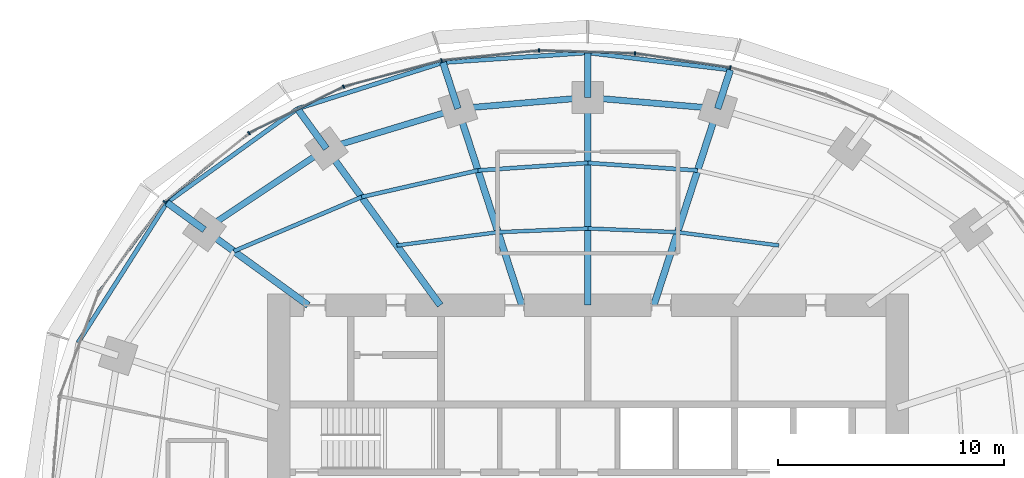
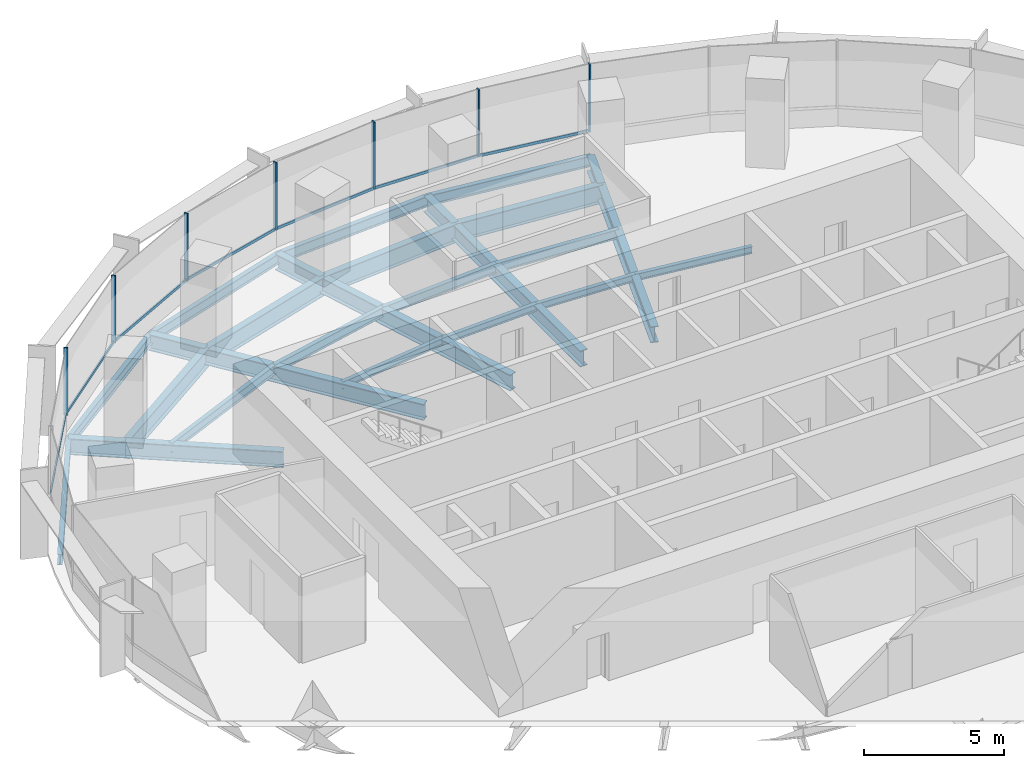
# One storey, part 7 of 14: 27 beams, 14 members, 2 elements without a shape of their own.
"""IFC4 building model written with IfcOpenShell, lengths in metres."""

from ifc_helpers import new_model, si_unit, direction, frame, origin, origin_2d, place, context, subcontext, project, spatial, rectangle, i_section, extrude, material, material_profile, profile_set, type_object, element, aggregate, save


model = new_model("IFC4")

# Units and contexts
model_context = context("Model", 3, precision=1e-05, world=origin(), true_north=direction((0.0, 1.0)))
body_context = subcontext(model_context, "Body", "Model", "MODEL_VIEW")
ifc_project = project(units=[si_unit("LENGTHUNIT", "METRE"), si_unit("AREAUNIT", "SQUARE_METRE"), si_unit("VOLUMEUNIT", "CUBIC_METRE"), si_unit("PLANEANGLEUNIT", "RADIAN"), si_unit("MASSUNIT", "GRAM", prefix="KILO")], contexts=[model_context])

# Site, building, storey
site_placement = place(None, origin())
site = spatial("IfcSite", under=ifc_project, at=site_placement, CompositionType="ELEMENT")
building_placement = place(site_placement, origin())
building = spatial("IfcBuilding", under=site, at=building_placement, Name="Marramba Exchange Tower", CompositionType="ELEMENT")
storey_placement = place(building_placement, frame((0.0, 0.0, 222.800048828125)))
storey = spatial("IfcBuildingStorey", under=building, at=storey_placement, Name="L54", CompositionType="ELEMENT", Elevation=222.800048828125)

# Beams
ifc_material_1 = material(Name="Steel AS/NZS 3679.2 grade 300", Category="steel")
ifc_material_profile_1 = material_profile(ifc_material_1, i_section(OverallWidth=0.300048828125, OverallDepth=0.699951171875, WebThickness=0.010009765625, FlangeThickness=0.031982421875, at=origin_2d()), Name="700WB173")
ifc_profile_set_1 = profile_set([ifc_material_profile_1], Name="Steel AS/NZS 3679.2 grade 300")
beam_type_1 = type_object("IfcBeamType", Name="Cantilever girder 700WB173", PredefinedType="BEAM", material=ifc_profile_set_1)
beam_1_placement = place(storey_placement, frame((5.75390625, 17.70849609375, -0.510009765625), z_axis=(0.308960771946, 0.951074782232, 0.0), x_axis=(-0.951074782232, 0.308960771946, 0.0)))
element("IfcBeam", 1, at=beam_1_placement, inside=storey, type_object=beam_type_1, Name="Cantilever girder L54 TC05", PredefinedType="BEAM", context=body_context, shape_type="SweptSolid", body=[
    extrude(i_section(OverallWidth=0.300048828125, OverallDepth=0.699951171875, WebThickness=0.010009765625, FlangeThickness=0.031982421875, at=origin_2d()), origin(), (0.0, 0.0, 1.0), 1.806396484375),
])
beam_2_placement = place(storey_placement, frame((0.0, 18.2041015625, -0.510009765625), z_axis=(0.0, 1.0, 0.0), x_axis=(-1.0, 0.0, 0.0)))
element("IfcBeam", 2, at=beam_2_placement, inside=storey, type_object=beam_type_1, Name="Cantilever girder L54 TC06", PredefinedType="BEAM", context=body_context, shape_type="SweptSolid", body=[
    extrude(i_section(OverallWidth=0.300048828125, OverallDepth=0.699951171875, WebThickness=0.010009765625, FlangeThickness=0.031982421875, at=origin_2d()), origin(), (0.0, 0.0, 1.0), 1.982177734375),
])
beam_3_placement = place(storey_placement, frame((-5.75390625, 17.70849609375, -0.510009765625), z_axis=(-0.308998798068, 0.951062428441, 0.0), x_axis=(-0.951062428441, -0.308998798068, 0.0)))
element("IfcBeam", 3, at=beam_3_placement, inside=storey, type_object=beam_type_1, Name="Cantilever girder L54 TC07", PredefinedType="BEAM", context=body_context, shape_type="SweptSolid", body=[
    extrude(i_section(OverallWidth=0.300048828125, OverallDepth=0.699951171875, WebThickness=0.010009765625, FlangeThickness=0.031982421875, at=origin_2d()), origin(), (0.0, 0.0, 1.0), 2.150634765625),
])
beam_4_placement = place(storey_placement, frame((-11.581298828125, 15.9404296875, -0.510009765625), z_axis=(-0.587832433352, 0.808982713226, 0.0), x_axis=(-0.808982713226, -0.587832433352, 0.0)))
element("IfcBeam", 4, at=beam_4_placement, inside=storey, type_object=beam_type_1, Name="Cantilever girder L54 TC08", PredefinedType="BEAM", context=body_context, shape_type="SweptSolid", body=[
    extrude(i_section(OverallWidth=0.300048828125, OverallDepth=0.699951171875, WebThickness=0.010009765625, FlangeThickness=0.031982421875, at=origin_2d()), origin(), (0.0, 0.0, 1.0), 2.1826171875),
])
beam_5_placement = place(storey_placement, frame((-16.98583984375, 12.3408203125, -0.510009765625), z_axis=(-0.808962446125, 0.587860324192, 0.0), x_axis=(-0.587860324192, -0.808962446125, 0.0)))
element("IfcBeam", 5, at=beam_5_placement, inside=storey, type_object=beam_type_1, Name="Cantilever girder L54 TC09", PredefinedType="BEAM", context=body_context, shape_type="SweptSolid", body=[
    extrude(i_section(OverallWidth=0.300048828125, OverallDepth=0.699951171875, WebThickness=0.010009765625, FlangeThickness=0.031982421875, at=origin_2d()), origin(), (0.0, 0.0, 1.0), 2.051513671875),
])
ifc_material_2 = material(Name="Steel AS/NZS 3679.1 grade 300", Category="steel")
ifc_material_profile_2 = material_profile(ifc_material_2, i_section(OverallWidth=0.166015625, OverallDepth=0.306884765625, WebThickness=0.006591796875, FlangeThickness=0.01171875, FilletRadius=0.011474609375, at=origin_2d()), Name="310UB46.2")
ifc_profile_set_2 = profile_set([ifc_material_profile_2], Name="Steel AS/NZS 3679.1 grade 300")
beam_type_2 = type_object("IfcBeamType", Name="Floor joist 310UB46.2", PredefinedType="JOIST", material=ifc_profile_set_2)
beam_6_placement = place(storey_placement, frame((8.4619140625, 11.646728515625, -0.3134765625), z_axis=(-0.991480538255, 0.130254912618, 0.0), x_axis=(-0.130254912618, -0.991480538255, 0.0)))
element("IfcBeam", 6, at=beam_6_placement, inside=storey, type_object=beam_type_2, Name="Joist L54 bay 04 row 1", PredefinedType="JOIST", context=body_context, shape_type="SweptSolid", body=[
    extrude(i_section(OverallWidth=0.166015625, OverallDepth=0.306884765625, WebThickness=0.006591796875, FlangeThickness=0.01171875, FilletRadius=0.011474609375, at=origin_2d()), origin(), (0.0, 0.0, 1.0), 4.524658203125),
])
for number, where, z_axis, x_axis, name in (
    (7, (3.975830078125, 12.236083984375, -0.3134765625), (-0.999137002892, 0.041536122257, 0.0), (-0.041536122257, -0.999137002892, 0.0), "Joist L54 bay 05 row 1"),
    (8, (0.0, 12.4013671875, -0.3134765625), (-0.999137002892, -0.041536122257, 0.0), (0.041536122257, -0.999137002892, 0.0), "Joist L54 bay 06 row 1"),
):
    element("IfcBeam", number, at=place(storey_placement, frame(where, z_axis=z_axis, x_axis=x_axis)), inside=storey, type_object=beam_type_2, Name=name, PredefinedType="JOIST", context=body_context, shape_type="SweptSolid", body=[
        extrude(i_section(OverallWidth=0.166015625, OverallDepth=0.306884765625, WebThickness=0.006591796875, FlangeThickness=0.01171875, FilletRadius=0.011474609375, at=origin_2d()), origin(), (0.0, 0.0, 1.0), 3.979248046875),
    ])
beam_7_placement = place(storey_placement, frame((-3.975830078125, 12.236083984375, -0.3134765625), z_axis=(-0.991480538255, -0.130254912618, 0.0), x_axis=(0.130254912618, -0.991480538255, 0.0)))
element("IfcBeam", 9, at=beam_7_placement, inside=storey, type_object=beam_type_2, Name="Joist L54 bay 07 row 1", PredefinedType="JOIST", context=body_context, shape_type="SweptSolid", body=[
    extrude(i_section(OverallWidth=0.166015625, OverallDepth=0.306884765625, WebThickness=0.006591796875, FlangeThickness=0.01171875, FilletRadius=0.011474609375, at=origin_2d()), origin(), (0.0, 0.0, 1.0), 4.524658203125),
])
ifc_material_profile_3 = material_profile(ifc_material_2, i_section(OverallWidth=0.177978515625, OverallDepth=0.406005859375, WebThickness=0.0078125, FlangeThickness=0.0126953125, FilletRadius=0.011474609375, at=origin_2d()), Name="410UB59.7")
ifc_profile_set_3 = profile_set([ifc_material_profile_3], Name="Steel AS/NZS 3679.1 grade 300")
beam_type_3 = type_object("IfcBeamType", Name="Floor joist 410UB59.7", PredefinedType="JOIST", material=ifc_profile_set_3)
for number, where, z_axis, x_axis, name in (
    (10, (4.86474609375, 14.972412109375, -0.363037109375), (-0.997702652202, 0.067745241816, 0.0), (-0.067745241816, -0.997702652202, 0.0), "Joist L54 bay 05 row 2"),
    (11, (0.0, 15.302734375, -0.363037109375), (-0.997702652202, -0.067745241816, 0.0), (0.067745241816, -0.997702652202, 0.0), "Joist L54 bay 06 row 2"),
):
    element("IfcBeam", number, at=place(storey_placement, frame(where, z_axis=z_axis, x_axis=x_axis)), inside=storey, type_object=beam_type_3, Name=name, PredefinedType="JOIST", context=body_context, shape_type="SweptSolid", body=[
        extrude(i_section(OverallWidth=0.177978515625, OverallDepth=0.406005859375, WebThickness=0.0078125, FlangeThickness=0.0126953125, FilletRadius=0.011474609375, at=origin_2d()), origin(), (0.0, 0.0, 1.0), 4.8759765625),
    ])
beam_8_placement = place(storey_placement, frame((-4.86474609375, 14.972412109375, -0.363037109375), z_axis=(-0.974859652292, -0.222819788916, 0.0), x_axis=(0.222819788916, -0.974859652292, 0.0)))
element("IfcBeam", 12, at=beam_8_placement, inside=storey, type_object=beam_type_3, Name="Joist L54 bay 07 row 2", PredefinedType="JOIST", context=body_context, shape_type="SweptSolid", body=[
    extrude(i_section(OverallWidth=0.177978515625, OverallDepth=0.406005859375, WebThickness=0.0078125, FlangeThickness=0.0126953125, FilletRadius=0.011474609375, at=origin_2d()), origin(), (0.0, 0.0, 1.0), 5.2900390625),
])
beam_9_placement = place(storey_placement, frame((-10.021728515625, 13.793701171875, -0.363037109375), z_axis=(-0.920674336375, -0.390331610738, 0.0), x_axis=(0.390331610738, -0.920674336375, 0.0)))
element("IfcBeam", 13, at=beam_9_placement, inside=storey, type_object=beam_type_3, Name="Joist L54 bay 08 row 2", PredefinedType="JOIST", context=body_context, shape_type="SweptSolid", body=[
    extrude(i_section(OverallWidth=0.177978515625, OverallDepth=0.406005859375, WebThickness=0.0078125, FlangeThickness=0.0126953125, FilletRadius=0.011474609375, at=origin_2d()), origin(), (0.0, 0.0, 1.0), 6.1484375),
])

# Curtain wall, members
ifc_material_3 = material(Name="Aluminium framing, bronze anodised", Category="aluminium")
curtain_wall_type = type_object("IfcCurtainWallType", Name="Office ribbon curtain wall", PredefinedType="USERDEFINED", material=ifc_material_3)
curtain_wall_1_placement = place(storey_placement, origin())
curtain_wall_1 = element("IfcCurtainWall", 14, at=curtain_wall_1_placement, inside=storey, type_object=curtain_wall_type, Name="Curtain wall CW4 L54 F06-F10", ObjectType="RIBBON CURTAIN WALL", PredefinedType="USERDEFINED")
ifc_material_4 = material(Name="Aluminium mullion, bronze anodised", Category="aluminium")
ifc_material_profile_4 = material_profile(ifc_material_4, rectangle(XDim=0.159912109375, YDim=0.06005859375, at=origin_2d()), Name="CW4 mullion 60x160")
ifc_profile_set_4 = profile_set([ifc_material_profile_4], Name="Aluminium mullion, bronze anodised")
member_type_1 = type_object("IfcMemberType", Name="Office ribbon curtain wall mullion", PredefinedType="MULLION", material=ifc_profile_set_4)
member_1_placement = place(storey_placement, frame((6.313232421875, 19.526123046875, 0.800048828125), z_axis=(0.0, 0.0, 1.0), x_axis=(-0.148794988635, -0.988868065698, 0.0)))
member_1 = element("IfcMember", 15, at=member_1_placement, type_object=member_type_1, Name="CW4 mullion 1", PredefinedType="MULLION", context=body_context, shape_type="SweptSolid", body=[
    extrude(rectangle(XDim=0.159912109375, YDim=0.06005859375, at=origin_2d()), origin(), (0.0, 0.0, 1.0), 2.93994140625),
])
member_2_placement = place(storey_placement, frame((2.088623046875, 20.158203125, 0.800048828125), z_axis=(0.0, 0.0, 1.0), x_axis=(-0.03039385249, -0.999538000143, 0.0)))
member_2 = element("IfcMember", 16, at=member_2_placement, type_object=member_type_1, Name="CW4 mullion 1", PredefinedType="MULLION", context=body_context, shape_type="SweptSolid", body=[
    extrude(rectangle(XDim=0.159912109375, YDim=0.06005859375, at=origin_2d()), origin(), (0.0, 0.0, 1.0), 2.93994140625),
])
member_3_placement = place(storey_placement, frame((-2.162109375, 20.28369140625, 0.800048828125), z_axis=(0.0, 0.0, 1.0), x_axis=(0.100862673507, -0.994900357369, 0.0)))
member_3 = element("IfcMember", 17, at=member_3_placement, type_object=member_type_1, Name="CW4 mullion 1", PredefinedType="MULLION", context=body_context, shape_type="SweptSolid", body=[
    extrude(rectangle(XDim=0.159912109375, YDim=0.06005859375, at=origin_2d()), origin(), (0.0, 0.0, 1.0), 2.93994140625),
])
member_4_placement = place(storey_placement, frame((-6.478271484375, 19.84130859375, 0.800048828125), z_axis=(0.0, 0.0, 1.0), x_axis=(0.257641223778, -0.966240653155, 0.0)))
member_4 = element("IfcMember", 18, at=member_4_placement, type_object=member_type_1, Name="CW4 mullion 1", PredefinedType="MULLION", context=body_context, shape_type="SweptSolid", body=[
    extrude(rectangle(XDim=0.159912109375, YDim=0.06005859375, at=origin_2d()), origin(), (0.0, 0.0, 1.0), 2.93994140625),
])

curtain_wall_2_placement = place(storey_placement, origin())
curtain_wall_2 = element("IfcCurtainWall", 19, at=curtain_wall_2_placement, inside=storey, type_object=curtain_wall_type, Name="Curtain wall CW4 L54 F11-F15", ObjectType="RIBBON CURTAIN WALL", PredefinedType="USERDEFINED")
member_5_placement = place(storey_placement, frame((-10.818359375, 18.677978515625, 0.800048828125), z_axis=(0.0, 0.0, 1.0), x_axis=(0.438972456661, -0.898500518805, 0.0)))
member_5 = element("IfcMember", 20, at=member_5_placement, type_object=member_type_1, Name="CW4 mullion 1", PredefinedType="MULLION", context=body_context, shape_type="SweptSolid", body=[
    extrude(rectangle(XDim=0.159912109375, YDim=0.06005859375, at=origin_2d()), origin(), (0.0, 0.0, 1.0), 2.93994140625),
])
member_6_placement = place(storey_placement, frame((-15.008056640625, 16.62353515625, 0.800048828125), z_axis=(0.0, 0.0, 1.0), x_axis=(0.630200830464, -0.776432169145, 0.0)))
member_6 = element("IfcMember", 21, at=member_6_placement, type_object=member_type_1, Name="CW4 mullion 1", PredefinedType="MULLION", context=body_context, shape_type="SweptSolid", body=[
    extrude(rectangle(XDim=0.159912109375, YDim=0.06005859375, at=origin_2d()), origin(), (0.0, 0.0, 1.0), 2.93994140625),
])
member_7_placement = place(storey_placement, frame((-18.744140625, 13.581298828125, 0.800048828125), z_axis=(0.0, 0.0, 1.0), x_axis=(0.805965197024, -0.591962922138, 0.0)))
member_7 = element("IfcMember", 22, at=member_7_placement, type_object=member_type_1, Name="CW4 mullion 1", PredefinedType="MULLION", context=body_context, shape_type="SweptSolid", body=[
    extrude(rectangle(XDim=0.159912109375, YDim=0.06005859375, at=origin_2d()), origin(), (0.0, 0.0, 1.0), 2.93994140625),
])

# Member
ifc_material_5 = material(Name="Aluminium transom, bronze anodised", Category="aluminium")
ifc_material_profile_5 = material_profile(ifc_material_5, rectangle(XDim=0.06005859375, YDim=0.1201171875, at=origin_2d()), Name="CW4 transom 60x120")
ifc_profile_set_5 = profile_set([ifc_material_profile_5], Name="Aluminium transom, bronze anodised")
member_type_2 = type_object("IfcMemberType", Name="Office ribbon curtain wall transom", PredefinedType="USERDEFINED", material=ifc_profile_set_5)
member_8_placement = place(storey_placement, frame((6.28369140625, 19.53076171875, 0.829833984375), z_axis=(-0.988868222508, 0.148793946493, 0.0), x_axis=(-0.148793946493, -0.988868222508, 0.0)))
member_8 = element("IfcMember", 23, at=member_8_placement, type_object=member_type_2, Name="CW4 sill transom", ObjectType="TRANSOM", PredefinedType="USERDEFINED", context=body_context, shape_type="SweptSolid", body=[
    extrude(rectangle(XDim=0.06005859375, YDim=0.1201171875, at=origin_2d()), origin(), (0.0, 0.0, 1.0), 4.2119140625),
])

member_9_placement = place(storey_placement, frame((2.05859375, 20.1591796875, 0.829833984375), z_axis=(-0.99953796835, 0.030394898024, 0.0), x_axis=(-0.030394898024, -0.99953796835, 0.0)))
member_9 = element("IfcMember", 24, at=member_9_placement, type_object=member_type_2, Name="CW4 sill transom", ObjectType="TRANSOM", PredefinedType="USERDEFINED", context=body_context, shape_type="SweptSolid", body=[
    extrude(rectangle(XDim=0.06005859375, YDim=0.1201171875, at=origin_2d()), origin(), (0.0, 0.0, 1.0), 4.19287109375),
])

member_10_placement = place(storey_placement, frame((-2.19189453125, 20.280517578125, 0.829833984375), z_axis=(-0.99489954864, -0.100870650418, 0.0), x_axis=(0.100870650418, -0.99489954864, 0.0)))
member_10 = element("IfcMember", 25, at=member_10_placement, type_object=member_type_2, Name="CW4 sill transom", ObjectType="TRANSOM", PredefinedType="USERDEFINED", context=body_context, shape_type="SweptSolid", body=[
    extrude(rectangle(XDim=0.06005859375, YDim=0.1201171875, at=origin_2d()), origin(), (0.0, 0.0, 1.0), 4.279052734375),
])

member_11_placement = place(storey_placement, frame((-6.50732421875, 19.83349609375, 0.829833984375), z_axis=(-0.966237681407, -0.25765236857, 0.0), x_axis=(0.25765236857, -0.966237681407, 0.0)))
member_11 = element("IfcMember", 26, at=member_11_placement, type_object=member_type_2, Name="CW4 sill transom", ObjectType="TRANSOM", PredefinedType="USERDEFINED", context=body_context, shape_type="SweptSolid", body=[
    extrude(rectangle(XDim=0.06005859375, YDim=0.1201171875, at=origin_2d()), origin(), (0.0, 0.0, 1.0), 4.43359375),
])

aggregate(curtain_wall_1, [member_1, member_8, member_2, member_9, member_3, member_10, member_4, member_11])

member_12_placement = place(storey_placement, frame((-10.84521484375, 18.664794921875, 0.829833984375), z_axis=(-0.898501418486, -0.438970615165, 0.0), x_axis=(0.438970615165, -0.898501418486, 0.0)))
member_12 = element("IfcMember", 27, at=member_12_placement, type_object=member_type_2, Name="CW4 sill transom", ObjectType="TRANSOM", PredefinedType="USERDEFINED", context=body_context, shape_type="SweptSolid", body=[
    extrude(rectangle(XDim=0.06005859375, YDim=0.1201171875, at=origin_2d()), origin(), (0.0, 0.0, 1.0), 4.607177734375),
])

member_13_placement = place(storey_placement, frame((-15.031494140625, 16.6044921875, 0.829833984375), z_axis=(-0.776424623019, -0.630210127473, 0.0), x_axis=(0.630210127473, -0.776424623019, 0.0)))
member_13 = element("IfcMember", 28, at=member_13_placement, type_object=member_type_2, Name="CW4 sill transom", ObjectType="TRANSOM", PredefinedType="USERDEFINED", context=body_context, shape_type="SweptSolid", body=[
    extrude(rectangle(XDim=0.06005859375, YDim=0.1201171875, at=origin_2d()), origin(), (0.0, 0.0, 1.0), 4.7587890625),
])

member_14_placement = place(storey_placement, frame((-18.761962890625, 13.55712890625, 0.829833984375), z_axis=(-0.591957380483, -0.805969267213, 0.0), x_axis=(0.805969267213, -0.591957380483, 0.0)))
member_14 = element("IfcMember", 29, at=member_14_placement, type_object=member_type_2, Name="CW4 sill transom", ObjectType="TRANSOM", PredefinedType="USERDEFINED", context=body_context, shape_type="SweptSolid", body=[
    extrude(rectangle(XDim=0.06005859375, YDim=0.1201171875, at=origin_2d()), origin(), (0.0, 0.0, 1.0), 4.865478515625),
])

aggregate(curtain_wall_2, [member_5, member_12, member_6, member_13, member_7, member_14])

# Beams
ifc_material_profile_6 = material_profile(ifc_material_1, i_section(OverallWidth=0.300048828125, OverallDepth=0.699951171875, WebThickness=0.010009765625, FlangeThickness=0.031982421875, at=origin_2d()), Name="700WB173")
ifc_profile_set_6 = profile_set([ifc_material_profile_6], Name="Steel AS/NZS 3679.2 grade 300")
beam_type_4 = type_object("IfcBeamType", Name="Radial girder 700WB173", PredefinedType="BEAM", material=ifc_profile_set_6)
beam_10_placement = place(storey_placement, frame((2.92431640625, 9.0, -0.510009765625), z_axis=(0.309019754162, 0.951055619582, 0.0), x_axis=(-0.951055619582, 0.309019754162, 0.0)))
element("IfcBeam", 30, at=beam_10_placement, inside=storey, type_object=beam_type_4, Name="Radial girder L54 TC05", PredefinedType="BEAM", context=body_context, shape_type="SweptSolid", body=[
    extrude(i_section(OverallWidth=0.300048828125, OverallDepth=0.699951171875, WebThickness=0.010009765625, FlangeThickness=0.031982421875, at=origin_2d()), origin(), (0.0, 0.0, 1.0), 9.15673828125),
])
beam_11_placement = place(storey_placement, frame((0.0, 9.0, -0.510009765625), z_axis=(0.0, 1.0, 0.0), x_axis=(-1.0, 0.0, 0.0)))
element("IfcBeam", 31, at=beam_11_placement, inside=storey, type_object=beam_type_4, Name="Radial girder L54 TC06", PredefinedType="BEAM", context=body_context, shape_type="SweptSolid", body=[
    extrude(i_section(OverallWidth=0.300048828125, OverallDepth=0.699951171875, WebThickness=0.010009765625, FlangeThickness=0.031982421875, at=origin_2d()), origin(), (0.0, 0.0, 1.0), 9.2041015625),
])
beam_12_placement = place(storey_placement, frame((-2.92431640625, 9.0, -0.510009765625), z_axis=(-0.309019754162, 0.951055619582, 0.0), x_axis=(-0.951055619582, -0.309019754162, 0.0)))
element("IfcBeam", 32, at=beam_12_placement, inside=storey, type_object=beam_type_4, Name="Radial girder L54 TC07", PredefinedType="BEAM", context=body_context, shape_type="SweptSolid", body=[
    extrude(i_section(OverallWidth=0.300048828125, OverallDepth=0.699951171875, WebThickness=0.010009765625, FlangeThickness=0.031982421875, at=origin_2d()), origin(), (0.0, 0.0, 1.0), 9.15673828125),
])
beam_13_placement = place(storey_placement, frame((-6.538818359375, 9.0, -0.510009765625), z_axis=(-0.587782439969, 0.80901903764, 0.0), x_axis=(-0.80901903764, -0.587782439969, 0.0)))
element("IfcBeam", 33, at=beam_13_placement, inside=storey, type_object=beam_type_4, Name="Radial girder L54 TC08", PredefinedType="BEAM", context=body_context, shape_type="SweptSolid", body=[
    extrude(i_section(OverallWidth=0.300048828125, OverallDepth=0.699951171875, WebThickness=0.010009765625, FlangeThickness=0.031982421875, at=origin_2d()), origin(), (0.0, 0.0, 1.0), 8.578857421875),
])
beam_14_placement = place(storey_placement, frame((-12.387451171875, 9.0, -0.510009765625), z_axis=(-0.809025746925, 0.587773205252, 0.0), x_axis=(-0.587773205252, -0.809025746925, 0.0)))
element("IfcBeam", 34, at=beam_14_placement, inside=storey, type_object=beam_type_4, Name="Radial girder L54 TC09", PredefinedType="BEAM", context=body_context, shape_type="SweptSolid", body=[
    extrude(i_section(OverallWidth=0.300048828125, OverallDepth=0.699951171875, WebThickness=0.010009765625, FlangeThickness=0.031982421875, at=origin_2d()), origin(), (0.0, 0.0, 1.0), 5.683837890625),
])
ifc_material_profile_7 = material_profile(ifc_material_1, i_section(OverallWidth=0.27490234375, OverallDepth=0.800048828125, WebThickness=0.010009765625, FlangeThickness=0.02490234375, at=origin_2d()), Name="800WB168")
ifc_profile_set_7 = profile_set([ifc_material_profile_7], Name="Steel AS/NZS 3679.2 grade 300")
beam_type_5 = type_object("IfcBeamType", Name="Ring beam 800WB168", PredefinedType="SPANDREL", material=ifc_profile_set_7)
for number, where, z_axis, x_axis, name in (
    (35, (5.75390625, 17.70849609375, -0.56005859375), (-0.996311003275, 0.085815993578, 0.0), (-0.085815993578, -0.996311003275, 0.0), "Ring beam L54 TC05-TC06"),
    (36, (0.0, 18.2041015625, -0.56005859375), (-0.996311003275, -0.085815993578, 0.0), (0.085815993578, -0.996311003275, 0.0), "Ring beam L54 TC06-TC07"),
):
    element("IfcBeam", number, at=place(storey_placement, frame(where, z_axis=z_axis, x_axis=x_axis)), inside=storey, type_object=beam_type_5, Name=name, PredefinedType="SPANDREL", context=body_context, shape_type="SweptSolid", body=[
        extrude(i_section(OverallWidth=0.27490234375, OverallDepth=0.800048828125, WebThickness=0.010009765625, FlangeThickness=0.02490234375, at=origin_2d()), origin(), (0.0, 0.0, 1.0), 5.775146484375),
    ])
beam_15_placement = place(storey_placement, frame((-5.75390625, 17.70849609375, -0.56005859375), z_axis=(-0.956924542524, -0.290336735387, 0.0), x_axis=(0.290336735387, -0.956924542524, 0.0)))
element("IfcBeam", 37, at=beam_15_placement, inside=storey, type_object=beam_type_5, Name="Ring beam L54 TC07-TC08", PredefinedType="SPANDREL", context=body_context, shape_type="SweptSolid", body=[
    extrude(i_section(OverallWidth=0.27490234375, OverallDepth=0.800048828125, WebThickness=0.010009765625, FlangeThickness=0.02490234375, at=origin_2d()), origin(), (0.0, 0.0, 1.0), 6.089599609375),
])
beam_16_placement = place(storey_placement, frame((-11.581298828125, 15.9404296875, -0.56005859375), z_axis=(-0.832293151443, -0.554335737673, 0.0), x_axis=(0.554335737673, -0.832293151443, 0.0)))
element("IfcBeam", 38, at=beam_16_placement, inside=storey, type_object=beam_type_5, Name="Ring beam L54 TC08-TC09", PredefinedType="SPANDREL", context=body_context, shape_type="SweptSolid", body=[
    extrude(i_section(OverallWidth=0.27490234375, OverallDepth=0.800048828125, WebThickness=0.010009765625, FlangeThickness=0.02490234375, at=origin_2d()), origin(), (0.0, 0.0, 1.0), 6.49365234375),
])
ifc_material_profile_8 = material_profile(ifc_material_2, i_section(OverallWidth=0.19091796875, OverallDepth=0.4599609375, WebThickness=0.010009765625, FlangeThickness=0.01611328125, FilletRadius=0.011474609375, at=origin_2d()), Name="460UB82.1")
ifc_profile_set_8 = profile_set([ifc_material_profile_8], Name="Steel AS/NZS 3679.1 grade 300")
beam_type_6 = type_object("IfcBeamType", Name="Slab edge beam 460UB82.1", PredefinedType="SPANDREL", material=ifc_profile_set_8)
beam_17_placement = place(storey_placement, frame((6.31201171875, 19.426513671875, -0.39013671875), z_axis=(-0.992833525914, 0.119505605811, 0.0), x_axis=(-0.119505605811, -0.992833525914, 0.0)))
element("IfcBeam", 39, at=beam_17_placement, inside=storey, type_object=beam_type_6, Name="Slab edge beam L54 TC05-TC06", PredefinedType="SPANDREL", context=body_context, shape_type="SweptSolid", body=[
    extrude(i_section(OverallWidth=0.19091796875, OverallDepth=0.4599609375, WebThickness=0.010009765625, FlangeThickness=0.01611328125, FilletRadius=0.011474609375, at=origin_2d()), origin(), (0.0, 0.0, 1.0), 6.357666015625),
])
beam_18_placement = place(storey_placement, frame((0.0, 20.186279296875, -0.39013671875), z_axis=(-0.997738737775, -0.06721168903, 0.0), x_axis=(0.06721168903, -0.997738737775, 0.0)))
element("IfcBeam", 40, at=beam_18_placement, inside=storey, type_object=beam_type_6, Name="Slab edge beam L54 TC06-TC07", PredefinedType="SPANDREL", context=body_context, shape_type="SweptSolid", body=[
    extrude(i_section(OverallWidth=0.19091796875, OverallDepth=0.4599609375, WebThickness=0.010009765625, FlangeThickness=0.01611328125, FilletRadius=0.011474609375, at=origin_2d()), origin(), (0.0, 0.0, 1.0), 6.43310546875),
])
beam_19_placement = place(storey_placement, frame((-6.41845703125, 19.75390625, -0.39013671875), z_axis=(-0.953057484675, -0.302789416766, 0.0), x_axis=(0.302789416766, -0.953057484675, 0.0)))
element("IfcBeam", 41, at=beam_19_placement, inside=storey, type_object=beam_type_6, Name="Slab edge beam L54 TC07-TC08", PredefinedType="SPANDREL", context=body_context, shape_type="SweptSolid", body=[
    extrude(i_section(OverallWidth=0.19091796875, OverallDepth=0.4599609375, WebThickness=0.010009765625, FlangeThickness=0.01611328125, FilletRadius=0.011474609375, at=origin_2d()), origin(), (0.0, 0.0, 1.0), 6.76318359375),
])
beam_20_placement = place(storey_placement, frame((-12.8642578125, 17.7060546875, -0.39013671875), z_axis=(-0.811755352788, -0.583997643163, 0.0), x_axis=(0.583997643163, -0.811755352788, 0.0)))
element("IfcBeam", 42, at=beam_20_placement, inside=storey, type_object=beam_type_6, Name="Slab edge beam L54 TC08-TC09", PredefinedType="SPANDREL", context=body_context, shape_type="SweptSolid", body=[
    extrude(i_section(OverallWidth=0.19091796875, OverallDepth=0.4599609375, WebThickness=0.010009765625, FlangeThickness=0.01611328125, FilletRadius=0.011474609375, at=origin_2d()), origin(), (0.0, 0.0, 1.0), 7.121826171875),
])
beam_21_placement = place(storey_placement, frame((-18.6455078125, 13.546875, -0.39013671875), z_axis=(-0.535794396634, -0.844348485245, 0.0), x_axis=(0.844348485245, -0.535794396634, 0.0)))
element("IfcBeam", 43, at=beam_21_placement, inside=storey, type_object=beam_type_6, Name="Slab edge beam L54 TC09-TC10", PredefinedType="SPANDREL", context=body_context, shape_type="SweptSolid", body=[
    extrude(i_section(OverallWidth=0.19091796875, OverallDepth=0.4599609375, WebThickness=0.010009765625, FlangeThickness=0.01611328125, FilletRadius=0.011474609375, at=origin_2d()), origin(), (0.0, 0.0, 1.0), 7.35302734375),
])

save(model, "model.ifc")
